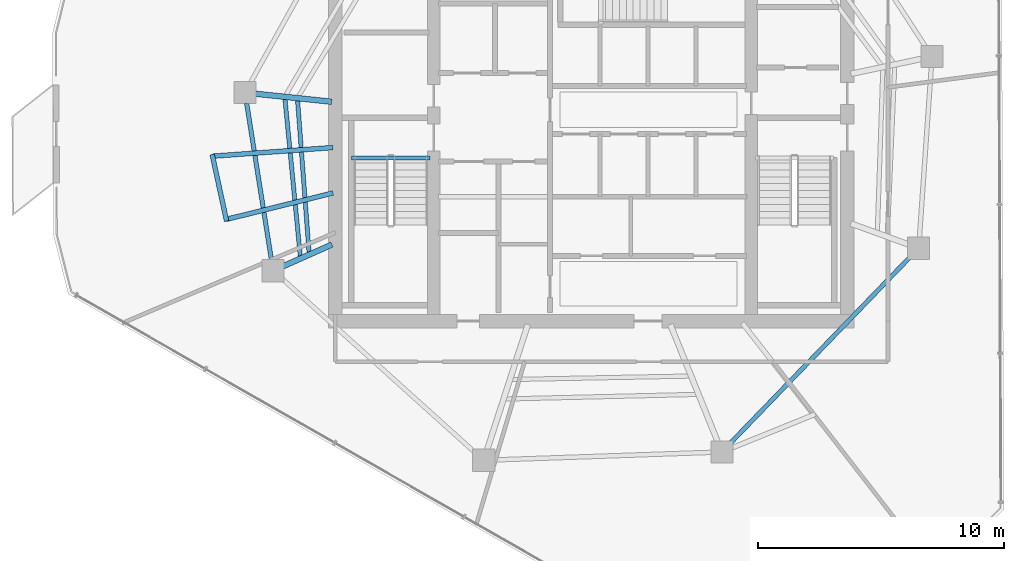
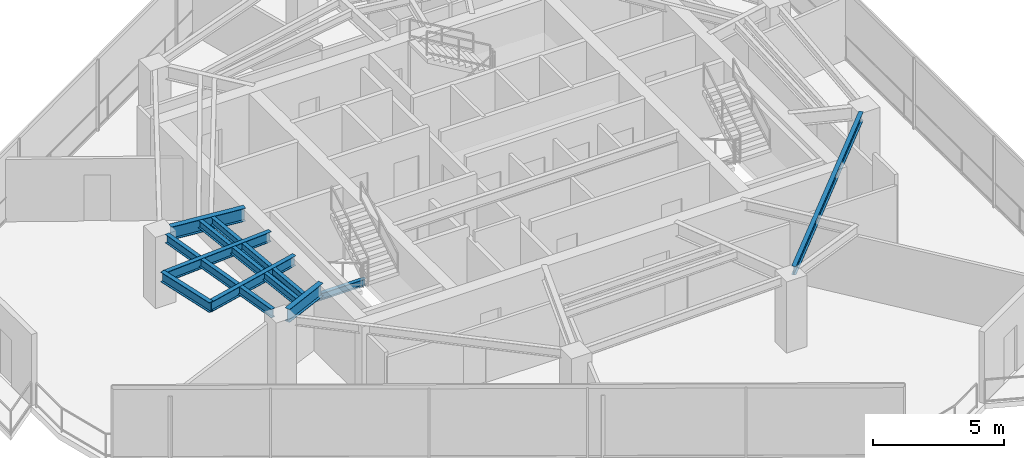
# One storey, part 4 of 19: 10 beams.
"""IFC4 building model written with IfcOpenShell, lengths in metres."""

from ifc_helpers import new_model, si_unit, direction, frame, origin, origin_2d, place, context, subcontext, project, spatial, i_section, extrude, material, material_profile, profile_set, type_object, element, save


model = new_model("IFC4")

# Units and contexts
model_context = context("Model", 3, precision=1e-05, world=origin(), true_north=direction((0.0, 1.0)))
body_context = subcontext(model_context, "Body", "Model", "MODEL_VIEW")
ifc_project = project(units=[si_unit("LENGTHUNIT", "METRE"), si_unit("AREAUNIT", "SQUARE_METRE"), si_unit("VOLUMEUNIT", "CUBIC_METRE"), si_unit("PLANEANGLEUNIT", "RADIAN"), si_unit("MASSUNIT", "GRAM", prefix="KILO")], contexts=[model_context])

# Site, building, storey
site_placement = place(None, origin())
site = spatial("IfcSite", under=ifc_project, at=site_placement, CompositionType="ELEMENT")
building_placement = place(site_placement, origin())
building = spatial("IfcBuilding", under=site, at=building_placement, Name="Qarnah Convention Tower", CompositionType="ELEMENT")
storey_placement = place(building_placement, frame((0.0, 0.0, 180.60009765625)))
storey = spatial("IfcBuildingStorey", under=building, at=storey_placement, Name="L48", CompositionType="ELEMENT", Elevation=180.60009765625)

# Beams
ifc_material = material(Name="Structural steel S355JR", Category="steel")
ifc_material_profile_1 = material_profile(ifc_material, i_section(OverallWidth=0.19189453125, OverallDepth=0.464111328125, WebThickness=0.010986328125, FlangeThickness=0.01806640625, at=origin_2d()), Name="W460X89")
ifc_profile_set_1 = profile_set([ifc_material_profile_1], Name="Structural steel S355JR")
beam_type_1 = type_object("IfcBeamType", Name="BM-CANT-W460A", PredefinedType="BEAM", material=ifc_profile_set_1)
beam_1_placement = place(storey_placement, frame((26.699951171875, 25.64794921875, 3.087890625), z_axis=(-0.997436151804, -0.071562022574, 0.0), x_axis=(0.071562022574, -0.997436151804, 0.0)))
element("IfcBeam", 1, at=beam_1_placement, inside=storey, type_object=beam_type_1, Name="L48 beam BM-L48-CNT-02-1", PredefinedType="BEAM", context=body_context, shape_type="SweptSolid", body=[
    extrude(i_section(OverallWidth=0.19189453125, OverallDepth=0.464111328125, WebThickness=0.010986328125, FlangeThickness=0.01806640625, at=origin_2d()), origin(), (0.0, 0.0, 1.0), 4.90234375),
])
beam_2_placement = place(storey_placement, frame((26.702880859375, 23.802001953125, 3.087890625), z_axis=(-0.970718465503, -0.240220025669, 0.0), x_axis=(0.240220025669, -0.970718465503, 0.0)))
element("IfcBeam", 2, at=beam_2_placement, inside=storey, type_object=beam_type_1, Name="L48 beam BM-L48-CNT-02-2", PredefinedType="BEAM", context=body_context, shape_type="SweptSolid", body=[
    extrude(i_section(OverallWidth=0.19189453125, OverallDepth=0.464111328125, WebThickness=0.010986328125, FlangeThickness=0.01806640625, at=origin_2d()), origin(), (0.0, 0.0, 1.0), 4.466796875),
])
beam_3_placement = place(storey_placement, frame((21.794921875, 25.364990234375, 3.087890625), z_axis=(0.212191546233, -0.977228094002, 0.0), x_axis=(0.977228094002, 0.212191546233, 0.0)))
element("IfcBeam", 3, at=beam_3_placement, inside=storey, type_object=beam_type_1, Name="L48 spandrel BM-L48-CTIE-02", PredefinedType="SPANDREL", context=body_context, shape_type="SweptSolid", body=[
    extrude(i_section(OverallWidth=0.19189453125, OverallDepth=0.464111328125, WebThickness=0.010986328125, FlangeThickness=0.01806640625, at=origin_2d()), origin(), (0.0, 0.0, 1.0), 2.76708984375),
])
ifc_material_profile_2 = material_profile(ifc_material, i_section(OverallWidth=0.166015625, OverallDepth=0.31201171875, WebThickness=0.007080078125, FlangeThickness=0.010986328125, at=origin_2d()), Name="W310X45")
ifc_profile_set_2 = profile_set([ifc_material_profile_2], Name="Structural steel S355JR")
beam_type_2 = type_object("IfcBeamType", Name="BM-JST-W310", PredefinedType="JOIST", material=ifc_profile_set_2)
beam_4_placement = place(storey_placement, frame((27.4599609375, 25.217041015625, -0.156005859375), z_axis=(1.0, 0.0, 0.0), x_axis=(0.0, 1.0, 0.0)))
element("IfcBeam", 4, at=beam_4_placement, inside=storey, type_object=beam_type_2, Name="L48 stair landing trimmer beam BM-L48-ST1-TRM", PredefinedType="BEAM", context=body_context, shape_type="SweptSolid", body=[
    extrude(i_section(OverallWidth=0.166015625, OverallDepth=0.31201171875, WebThickness=0.007080078125, FlangeThickness=0.010986328125, at=origin_2d()), origin(), (0.0, 0.0, 1.0), 3.179931640625),
])
ifc_material_profile_3 = material_profile(ifc_material, i_section(OverallWidth=0.172119140625, OverallDepth=0.35595703125, WebThickness=0.007080078125, FlangeThickness=0.011962890625, at=origin_2d()), Name="W360X51")
ifc_profile_set_3 = profile_set([ifc_material_profile_3], Name="Structural steel S355JR")
beam_type_3 = type_object("IfcBeamType", Name="BM-JST-W360", PredefinedType="JOIST", material=ifc_profile_set_3)
beam_5_placement = place(storey_placement, frame((24.7529296875, 27.618896484375, 3.141845703125), z_axis=(0.097059533416, -0.995278577572, 0.0), x_axis=(0.995278577572, 0.097059533416, 0.0)))
element("IfcBeam", 5, at=beam_5_placement, inside=storey, type_object=beam_type_3, Name="L48 joist BM-L48-SJST-05", PredefinedType="JOIST", context=body_context, shape_type="SweptSolid", body=[
    extrude(i_section(OverallWidth=0.172119140625, OverallDepth=0.35595703125, WebThickness=0.007080078125, FlangeThickness=0.011962890625, at=origin_2d()), origin(), (0.0, 0.0, 1.0), 6.419189453125),
])
beam_6_placement = place(storey_placement, frame((25.264892578125, 27.56494140625, 3.141845703125), z_axis=(0.075394458527, -0.997153787348, 0.0), x_axis=(0.997153787348, 0.075394458527, 0.0)))
element("IfcBeam", 6, at=beam_6_placement, inside=storey, type_object=beam_type_3, Name="L48 joist BM-L48-IJST-05", PredefinedType="JOIST", context=body_context, shape_type="SweptSolid", body=[
    extrude(i_section(OverallWidth=0.172119140625, OverallDepth=0.35595703125, WebThickness=0.007080078125, FlangeThickness=0.011962890625, at=origin_2d()), origin(), (0.0, 0.0, 1.0), 6.194580078125),
])
ifc_material_profile_4 = material_profile(ifc_material, i_section(OverallWidth=0.22802734375, OverallDepth=0.60791015625, WebThickness=0.010986328125, FlangeThickness=0.01708984375, at=origin_2d()), Name="W610X113")
ifc_profile_set_4 = profile_set([ifc_material_profile_4], Name="Structural steel S355JR")
beam_type_4 = type_object("IfcBeamType", Name="BM-RAD-W610B", PredefinedType="BEAM", material=ifc_profile_set_4)
beam_7_placement = place(storey_placement, frame((26.65087890625, 27.509033203125, 3.015869140625), z_axis=(-0.99453335923, 0.104419334317, 0.0), x_axis=(-0.104419334317, -0.99453335923, 0.0)))
element("IfcBeam", 7, at=beam_7_placement, inside=storey, type_object=beam_type_4, Name="L48 beam BM-L48-RAD-05", PredefinedType="BEAM", context=body_context, shape_type="SweptSolid", body=[
    extrude(i_section(OverallWidth=0.22802734375, OverallDepth=0.60791015625, WebThickness=0.010986328125, FlangeThickness=0.01708984375, at=origin_2d()), origin(), (0.0, 0.0, 1.0), 3.112060546875),
])
beam_8_placement = place(storey_placement, frame((26.6630859375, 21.708984375, 3.015869140625), z_axis=(-0.913585734164, -0.406646168471, 0.0), x_axis=(0.406646168471, -0.913585734164, 0.0)))
element("IfcBeam", 8, at=beam_8_placement, inside=storey, type_object=beam_type_4, Name="L48 beam BM-L48-RAD-06", PredefinedType="BEAM", context=body_context, shape_type="SweptSolid", body=[
    extrude(i_section(OverallWidth=0.22802734375, OverallDepth=0.60791015625, WebThickness=0.010986328125, FlangeThickness=0.01708984375, at=origin_2d()), origin(), (0.0, 0.0, 1.0), 2.18603515625),
])
ifc_material_profile_5 = material_profile(ifc_material, i_section(OverallWidth=0.179931640625, OverallDepth=0.39990234375, WebThickness=0.009033203125, FlangeThickness=0.013916015625, at=origin_2d()), Name="IPE400")
ifc_profile_set_5 = profile_set([ifc_material_profile_5], Name="Structural steel S355JR")
beam_type_5 = type_object("IfcBeamType", Name="BM-SPN-IPE400", PredefinedType="SPANDREL", material=ifc_profile_set_5)
beam_9_placement = place(storey_placement, frame((23.197021484375, 27.444091796875, 3.119873046875), z_axis=(0.156301127146, -0.987709450017, 0.0), x_axis=(0.987709450017, 0.156301127146, 0.0)))
element("IfcBeam", 9, at=beam_9_placement, inside=storey, type_object=beam_type_5, Name="L48 spandrel BM-L48-SPN-05", PredefinedType="SPANDREL", context=body_context, shape_type="SweptSolid", body=[
    extrude(i_section(OverallWidth=0.179931640625, OverallDepth=0.39990234375, WebThickness=0.009033203125, FlangeThickness=0.013916015625, at=origin_2d()), origin(), (0.0, 0.0, 1.0), 6.443115234375),
])
beam_10_placement = place(storey_placement, frame((42.806884765625, 13.596923828125, 3.119873046875), z_axis=(0.694676898282, 0.719321907767, 0.0), x_axis=(-0.719321907767, 0.694676898282, 0.0)))
element("IfcBeam", 10, at=beam_10_placement, inside=storey, type_object=beam_type_5, Name="L48 spandrel BM-L48-SPN-08", PredefinedType="SPANDREL", context=body_context, shape_type="SweptSolid", body=[
    extrude(i_section(OverallWidth=0.179931640625, OverallDepth=0.39990234375, WebThickness=0.009033203125, FlangeThickness=0.013916015625, at=origin_2d()), origin(), (0.0, 0.0, 1.0), 10.62939453125),
])

save(model, "model.ifc")
